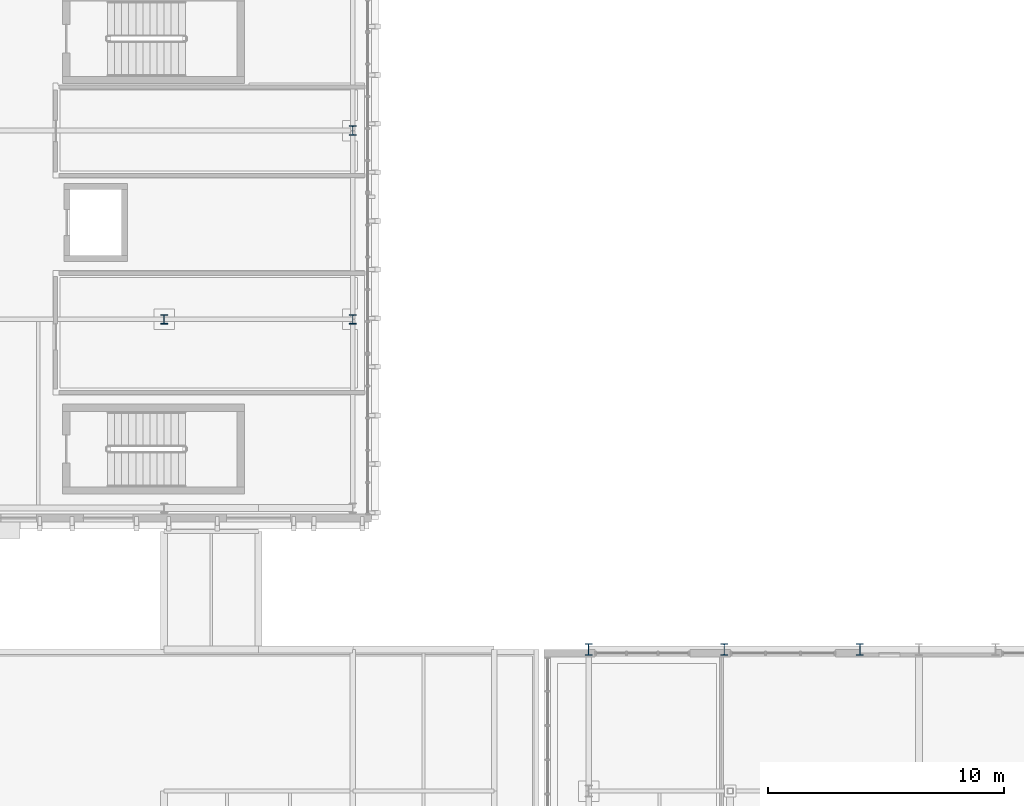
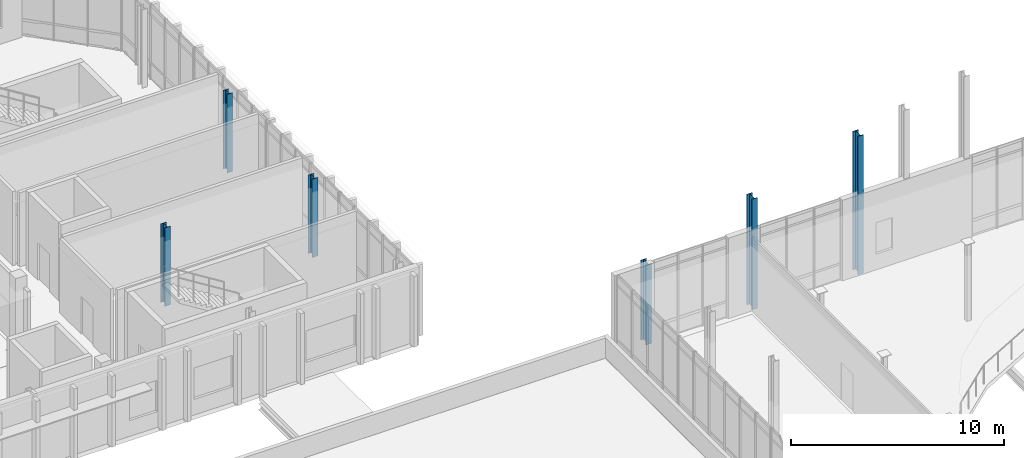
# One storey, part 3 of 86: 6 columns.
"""IFC4 building model written with IfcOpenShell, lengths in metres."""

import ifcopenshell
import ifcopenshell.guid

model = None  # the IFC model being written
_history = None  # IfcOwnerHistory: only IFC2X3 demands one
_inside = {}  # id of a spatial element -> (the spatial element, [elements in it])
_under = {}  # id of a project, library or spatial element -> (it, [spatial elements below it])
_declared = {}  # id of a project -> (the project, [libraries it declares])
_typed = {}  # id of a type object -> (the type object, [elements of that type])
_made_of = {}  # id of a material, layer set ... -> (it, [elements and type objects made of it])


def new_model(schema):
    """Start an empty IFC model of exactly this schema.

    Asked for "IFC4X3", IfcOpenShell would pick the latest addendum, in which some entities
    have other attributes; the version numbers below select the first issue.
    IFC2X3 requires an IfcOwnerHistory on every rooted entity: one is made here for all.
    """
    global model, _history
    if schema == "IFC4X3":
        model = ifcopenshell.file(schema_version=(4, 3, 0, 0))
    else:
        model = ifcopenshell.file(schema=schema)
    _inside.clear()
    _under.clear()
    _declared.clear()
    _typed.clear()
    _made_of.clear()
    _history = None
    if model.schema == "IFC2X3":
        org = make("IfcOrganization", Name="unknown")
        user = make(
            "IfcPersonAndOrganization",
            ThePerson=make("IfcPerson", FamilyName="unknown"),
            TheOrganization=org,
        )
        app = make(
            "IfcApplication",
            ApplicationDeveloper=org,
            Version="unknown",
            ApplicationFullName="unknown",
            ApplicationIdentifier="unknown",
        )
        _history = make(
            "IfcOwnerHistory",
            OwningUser=user,
            OwningApplication=app,
            ChangeAction="ADDED",
            CreationDate=0,
        )
    return model


def make(cls, **values):
    """One entity of the class cls with the attributes given. An attribute that is None is left unset."""
    return model.create_entity(
        cls, **{name: value for name, value in values.items() if value is not None}
    )


def rooted(cls, **values):
    """An entity with a GlobalId (a new one), such as an element, a storey or a relation."""
    return make(cls, GlobalId=ifcopenshell.guid.new(), OwnerHistory=_history, **values)


def si_unit(unit_type, name, prefix=None):
    """IfcSIUnit, for example si_unit("LENGTHUNIT", "METRE", prefix="MILLI")."""
    return make("IfcSIUnit", UnitType=unit_type, Prefix=prefix, Name=name)


def assignment(units):
    """IfcUnitAssignment: the units of a project."""
    return None if units is None else make("IfcUnitAssignment", Units=units)


def point(xyz):
    """IfcCartesianPoint."""
    return None if xyz is None else make("IfcCartesianPoint", Coordinates=xyz)


def direction(xyz):
    """IfcDirection."""
    return None if xyz is None else make("IfcDirection", DirectionRatios=xyz)


def frame(location, z_axis=None, x_axis=None):
    """IfcAxis2Placement3D, a coordinate frame: its origin and axes. An axis left out is left unset."""
    return make(
        "IfcAxis2Placement3D",
        Location=point(location),
        Axis=direction(z_axis),
        RefDirection=direction(x_axis),
    )


def frame_2d(location, x_axis=None):
    """IfcAxis2Placement2D, a coordinate frame in the plane: its origin and x axis."""
    return make(
        "IfcAxis2Placement2D", Location=point(location), RefDirection=direction(x_axis)
    )


def origin():
    """The frame at (0, 0, 0) with its axes left unset."""
    return frame((0.0, 0.0, 0.0))


def origin_2d():
    """The frame at (0, 0) in the plane with its x axis left unset."""
    return frame_2d((0.0, 0.0))


def place(relative_to, where):
    """IfcLocalPlacement: puts the frame where relative to a parent placement (None: the world)."""
    return make(
        "IfcLocalPlacement", PlacementRelTo=relative_to, RelativePlacement=where
    )


def context(
    kind, dimensions, precision=None, world=None, true_north=None, identifier=None
):
    """IfcGeometricRepresentationContext, for example the 3D "Model" context."""
    return make(
        "IfcGeometricRepresentationContext",
        ContextIdentifier=identifier,
        ContextType=kind,
        CoordinateSpaceDimension=dimensions,
        Precision=precision,
        WorldCoordinateSystem=world,
        TrueNorth=true_north,
    )


def subcontext(parent, identifier, kind, view, scale=None):
    """IfcGeometricRepresentationSubContext, for example "Body" below "Model"."""
    return make(
        "IfcGeometricRepresentationSubContext",
        ContextIdentifier=identifier,
        ContextType=kind,
        ParentContext=parent,
        TargetScale=scale,
        TargetView=view,
    )


def project(units=None, contexts=None):
    """IfcProject with its units and contexts."""
    return rooted(
        "IfcProject",
        Name="project",
        RepresentationContexts=contexts,
        UnitsInContext=assignment(units),
    )


def spatial(cls, under=None, at=None, **own):
    """A site, building, storey or space (cls), placed at a placement, below another one or the project."""
    s = rooted(cls, ObjectPlacement=at, **own)
    if under is not None:
        _under.setdefault(under.id(), (under, []))[1].append(s)
    return s


def profile(cls, at=None, kind="AREA", **sizes):
    """A parametric profile (cls). Its sizes go by their IFC names, for example OverallWidth=200.0."""
    return make(cls, ProfileType=kind, Position=at, **sizes)


def i_section(**sizes):
    """IfcIShapeProfileDef."""
    return profile("IfcIShapeProfileDef", **sizes)


def extrude(swept, where, along, depth):
    """IfcExtrudedAreaSolid: the profile swept, set in the frame where, extruded along a direction by depth."""
    return make(
        "IfcExtrudedAreaSolid",
        SweptArea=swept,
        Position=where,
        ExtrudedDirection=direction(along),
        Depth=depth,
    )


def shape(context_of_items, identifier, shape_type, items):
    """IfcShapeRepresentation: the items that make up one representation, for example the "Body"."""
    return make(
        "IfcShapeRepresentation",
        ContextOfItems=context_of_items,
        RepresentationIdentifier=identifier,
        RepresentationType=shape_type,
        Items=items,
    )


def material(Name=None, Category=None):
    """IfcMaterial."""
    return make("IfcMaterial", Name=Name, Category=Category)


def material_profile(
    of_material, cross_section, Name=None, Category=None, Priority=None
):
    """IfcMaterialProfile: a cross section and its material."""
    return make(
        "IfcMaterialProfile",
        Name=Name,
        Material=of_material,
        Profile=cross_section,
        Priority=Priority,
        Category=Category,
    )


def profile_set(profiles, Name=None, composite=None):
    """IfcMaterialProfileSet."""
    return make(
        "IfcMaterialProfileSet",
        Name=Name,
        MaterialProfiles=profiles,
        CompositeProfile=composite,
    )


def made_of(thing, what):
    """Note that an element or type object is made of a material, layer set ...; save() writes the relation."""
    if what is not None:
        _made_of.setdefault(what.id(), (what, []))[1].append(thing)
    return thing


def type_object(cls, material=None, **own):
    """A type object (cls), such as IfcWallType, which elements share."""
    return made_of(rooted(cls, **own), material)


def element(
    cls,
    number,
    at=None,
    inside=None,
    cuts=None,
    type_object=None,
    material=None,
    context=None,
    identifier="Body",
    shape_type=None,
    held_by="IfcProductDefinitionShape",
    body=None,
    shapes=None,
    **own,
):
    """One element of the class cls, such as IfcWall. Its Tag is "e" and its number.

    at: its placement. inside: the storey or other place that contains it. cuts: it is an
    opening in that element (IfcRelVoidsElement). A single representation is given by context,
    identifier, shape_type and body (its items); several are given by shapes. held_by: the class
    of the entity that holds the representations. save() writes the other relations.
    """
    e = rooted(cls, Tag="e%d" % number, ObjectPlacement=at, **own)
    if body is not None:
        shapes = [shape(context, identifier, shape_type, body)]
    if shapes is not None:
        e.Representation = make(held_by, Representations=shapes)
    if inside is not None:
        _inside.setdefault(inside.id(), (inside, []))[1].append(e)
    if cuts is not None:
        rooted(
            "IfcRelVoidsElement", RelatingBuildingElement=cuts, RelatedOpeningElement=e
        )
    if type_object is not None:
        _typed.setdefault(type_object.id(), (type_object, []))[1].append(e)
    return made_of(e, material)


def aggregate(whole, parts):
    """IfcRelAggregates: a whole, such as a stair, and the parts it consists of."""
    return rooted("IfcRelAggregates", RelatingObject=whole, RelatedObjects=parts)


def save(model, path):
    """Write the relations noted so far, then the file.

    IfcRelAggregates (storeys below a building ...), IfcRelContainedInSpatialStructure (elements
    in a storey), IfcRelDefinesByType, IfcRelAssociatesMaterial and IfcRelDeclares: one each for
    every whole, place, type object, material and project.
    """
    for whole, parts in _under.values():
        aggregate(whole, parts)
    for where, things in _inside.values():
        rooted(
            "IfcRelContainedInSpatialStructure",
            RelatedElements=things,
            RelatingStructure=where,
        )
    for kind, things in _typed.values():
        rooted("IfcRelDefinesByType", RelatedObjects=things, RelatingType=kind)
    for what, things in _made_of.values():
        rooted("IfcRelAssociatesMaterial", RelatedObjects=things, RelatingMaterial=what)
    for by, libraries in _declared.values():
        rooted("IfcRelDeclares", RelatingContext=by, RelatedDefinitions=libraries)
    model.write(path)


model = new_model("IFC4")

# Units and contexts
model_context = context("Model", 3, precision=1e-05, world=origin(), true_north=direction((0.0, 1.0)))
body_context = subcontext(model_context, "Body", "Model", "MODEL_VIEW")
ifc_project = project(units=[si_unit("LENGTHUNIT", "METRE"), si_unit("AREAUNIT", "SQUARE_METRE"), si_unit("VOLUMEUNIT", "CUBIC_METRE"), si_unit("PLANEANGLEUNIT", "RADIAN"), si_unit("MASSUNIT", "GRAM", prefix="KILO")], contexts=[model_context])

# Site, building, storey
site_placement = place(None, origin())
site = spatial("IfcSite", under=ifc_project, at=site_placement, CompositionType="ELEMENT")
building_placement = place(site_placement, origin())
building = spatial("IfcBuilding", under=site, at=building_placement, Name="Cymarion Research Institute", CompositionType="ELEMENT")
storey_placement = place(building_placement, frame((0.0, 0.0, 13.800048828125)))
storey = spatial("IfcBuildingStorey", under=building, at=storey_placement, Name="L03", CompositionType="ELEMENT", Elevation=13.800048828125)

# Columns
ifc_material = material(Name="Steel S355", Category="steel")
ifc_material_profile_1 = material_profile(ifc_material, i_section(OverallWidth=0.300048828125, OverallDepth=0.5, WebThickness=0.014404296875, FlangeThickness=0.028076171875, FilletRadius=0.027099609375, at=origin_2d()), Name="HEB 500")
ifc_profile_set_1 = profile_set([ifc_material_profile_1], Name="Steel S355")
column_type_1 = type_object("IfcColumnType", Name="STRUCTURAL COLUMN C04 HEB 500", PredefinedType="COLUMN", material=ifc_profile_set_1)
column_1_placement = place(storey_placement, frame((56.60009765625, 41.5, 0.0), z_axis=(0.0, 0.0, 1.0), x_axis=(1.0, 0.0, 0.0)))
element("IfcColumn", 1, at=column_1_placement, inside=storey, type_object=column_type_1, Name="L03 V2 column C04 #930", PredefinedType="COLUMN", context=body_context, shape_type="SweptSolid", body=[
    extrude(i_section(OverallWidth=0.300048828125, OverallDepth=0.5, WebThickness=0.014404296875, FlangeThickness=0.028076171875, FilletRadius=0.027099609375, at=origin_2d()), origin(), (0.0, 0.0, 1.0), 4.577880859375),
])
column_2_placement = place(storey_placement, frame((62.35009765625, 41.5, 0.0), z_axis=(0.0, 0.0, 1.0), x_axis=(1.0, 0.0, 0.0)))
element("IfcColumn", 2, at=column_2_placement, inside=storey, type_object=column_type_1, Name="L03 V2 column C04 #932", PredefinedType="COLUMN", context=body_context, shape_type="SweptSolid", body=[
    extrude(i_section(OverallWidth=0.300048828125, OverallDepth=0.5, WebThickness=0.014404296875, FlangeThickness=0.028076171875, FilletRadius=0.027099609375, at=origin_2d()), origin(), (0.0, 0.0, 1.0), 6.337890625),
])
column_3_placement = place(storey_placement, frame((68.10009765625, 41.5, 0.0), z_axis=(0.0, 0.0, 1.0), x_axis=(1.0, 0.0, 0.0)))
element("IfcColumn", 3, at=column_3_placement, inside=storey, type_object=column_type_1, Name="L03 V2 column C04 #940", PredefinedType="COLUMN", context=body_context, shape_type="SweptSolid", body=[
    extrude(i_section(OverallWidth=0.300048828125, OverallDepth=0.5, WebThickness=0.014404296875, FlangeThickness=0.028076171875, FilletRadius=0.027099609375, at=origin_2d()), origin(), (0.0, 0.0, 1.0), 7.93798828125),
])
ifc_material_profile_2 = material_profile(ifc_material, i_section(OverallWidth=0.300048828125, OverallDepth=0.39990234375, WebThickness=0.013427734375, FlangeThickness=0.02392578125, FilletRadius=0.027099609375, at=origin_2d()), Name="HEB 400")
ifc_profile_set_2 = profile_set([ifc_material_profile_2], Name="Steel S355")
column_type_2 = type_object("IfcColumnType", Name="STRUCTURAL COLUMN C06 HEB 400", PredefinedType="COLUMN", material=ifc_profile_set_2)
for number, where, z_axis, x_axis, name in (
    (4, (38.60009765625, 55.5, 0.0), (0.0, 0.0, 1.0), (1.0, 0.0, 0.0), "L03 V4 column C06 #907"),
    (5, (46.60009765625, 55.5, 0.0), (0.0, 0.0, 1.0), (1.0, 0.0, 0.0), "L03 V4 column C06 #917"),
    (6, (46.60009765625, 63.5, 0.0), (0.0, 0.0, 1.0), (1.0, 0.0, 0.0), "L03 V4 column C06 #918"),
):
    element("IfcColumn", number, at=place(storey_placement, frame(where, z_axis=z_axis, x_axis=x_axis)), inside=storey, type_object=column_type_2, Name=name, PredefinedType="COLUMN", context=body_context, shape_type="SweptSolid", body=[
        extrude(i_section(OverallWidth=0.300048828125, OverallDepth=0.39990234375, WebThickness=0.013427734375, FlangeThickness=0.02392578125, FilletRadius=0.027099609375, at=origin_2d()), origin(), (0.0, 0.0, 1.0), 4.5),
    ])

save(model, "model.ifc")
